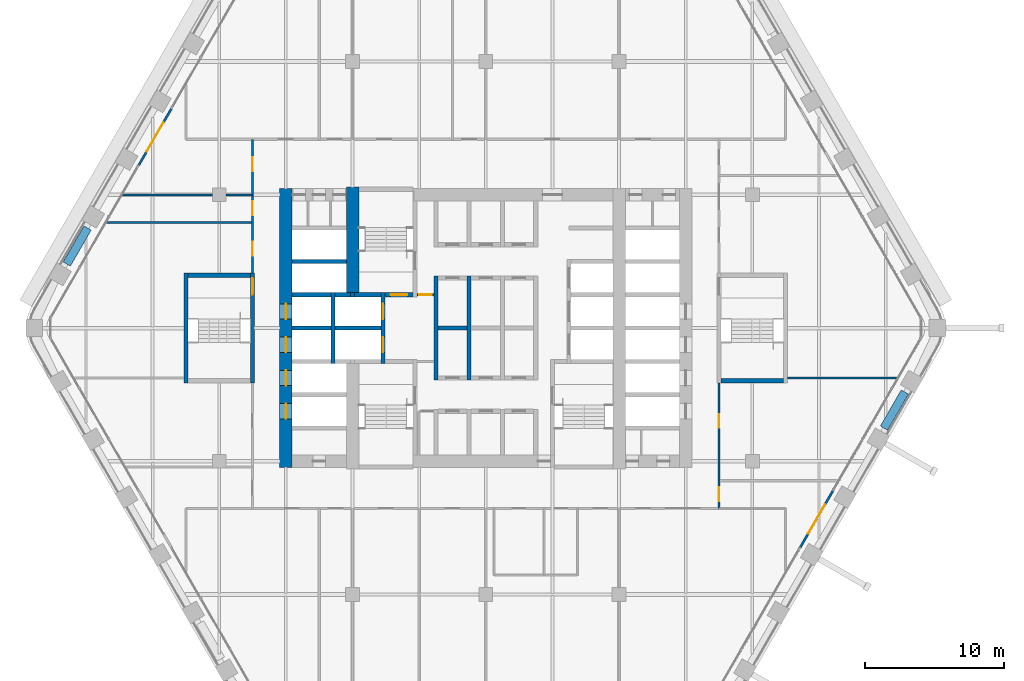
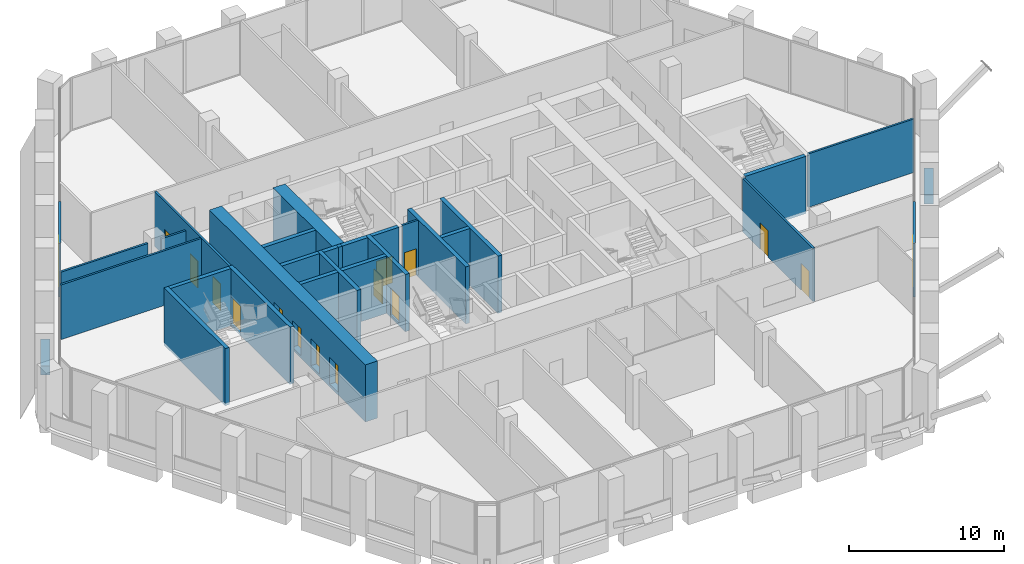
# One storey, part 15 of 24: 30 walls, 16 doors, 16 openings.
"""IFC4 building model written with IfcOpenShell, lengths in metres."""

from ifc_helpers import new_model, si_unit, direction, frame, frame_2d, origin, place, context, subcontext, project, spatial, rectangle, extrude, material, layer, layer_set, type_object, element, fill, save


model = new_model("IFC4")

# Units and contexts
model_context = context("Model", 3, precision=1e-05, world=origin(), true_north=direction((0.0, 1.0)))
body_context = subcontext(model_context, "Body", "Model", "MODEL_VIEW")
ifc_project = project(units=[si_unit("LENGTHUNIT", "METRE"), si_unit("AREAUNIT", "SQUARE_METRE"), si_unit("VOLUMEUNIT", "CUBIC_METRE"), si_unit("PLANEANGLEUNIT", "RADIAN"), si_unit("MASSUNIT", "GRAM", prefix="KILO")], contexts=[model_context])

# Site, building, storey
site_placement = place(None, origin())
site = spatial("IfcSite", under=ifc_project, at=site_placement, CompositionType="ELEMENT")
building_placement = place(site_placement, origin())
building = spatial("IfcBuilding", under=site, at=building_placement, Name="Kolab Exchange Tower", CompositionType="ELEMENT")
storey_placement = place(building_placement, frame((0.0, 0.0, 86.89990234375)))
storey = spatial("IfcBuildingStorey", under=building, at=storey_placement, Name="L16", CompositionType="ELEMENT", Elevation=86.89990234375)

# Wall, openings, doors
ifc_material_1 = material(Name="Concrete C70/85", Category="concrete")
ifc_layer_1 = layer(ifc_material_1, 0.89990234375)
ifc_layer_set_1 = layer_set([ifc_layer_1], Name="Concrete C70/85")
wall_type_1 = type_object("IfcWallType", Name="CORE WALL 900 C70/85", PredefinedType="SHEAR", material=ifc_layer_set_1)
wall_1_placement = place(storey_placement, frame((-14.39990234375, -10.050048828125, -0.199951171875), z_axis=(0.0, 0.0, 1.0), x_axis=(0.0, 1.0, 0.0)))
wall_1 = element("IfcWall", 1, at=wall_1_placement, inside=storey, type_object=wall_type_1, Name="wall/L16/core/057", PredefinedType="SHEAR", context=body_context, shape_type="SweptSolid", body=[
    extrude(rectangle(XDim=20.10009765625, YDim=0.89990234375, at=frame_2d((10.050048828125, 0.0))), origin(), (0.0, 0.0, 1.0), 4.5),
])
opening_1_placement = place(wall_1_placement, frame((3.5, 0.0, 0.199951171875)))
opening_1 = element("IfcOpeningElement", 2, at=opening_1_placement, cuts=wall_1, Name="Opening LD1-073", PredefinedType="OPENING", context=body_context, shape_type="SweptSolid", body=[
    extrude(rectangle(XDim=1.10009765625, YDim=2.10009765625, at=frame_2d((0.550048828125, 1.050048828125))), frame((0.0, 0.4599609375, 0.0), z_axis=(0.0, -1.0, 0.0), x_axis=(1.0, 0.0, 0.0)), (0.0, 0.0, 1.0), 0.919921875),
])
opening_2_placement = place(wall_1_placement, frame((5.89990234375, 0.0, 0.199951171875)))
opening_2 = element("IfcOpeningElement", 3, at=opening_2_placement, cuts=wall_1, Name="Opening LD1-074", PredefinedType="OPENING", context=body_context, shape_type="SweptSolid", body=[
    extrude(rectangle(XDim=1.10009765625, YDim=2.10009765625, at=frame_2d((0.550048828125, 1.050048828125))), frame((0.0, 0.4599609375, 0.0), z_axis=(0.0, -1.0, 0.0), x_axis=(1.0, 0.0, 0.0)), (0.0, 0.0, 1.0), 0.919921875),
])
opening_3_placement = place(wall_1_placement, frame((8.300048828125, 0.0, 0.199951171875)))
opening_3 = element("IfcOpeningElement", 4, at=opening_3_placement, cuts=wall_1, Name="Opening LD1-075", PredefinedType="OPENING", context=body_context, shape_type="SweptSolid", body=[
    extrude(rectangle(XDim=1.10009765625, YDim=2.10009765625, at=frame_2d((0.550048828125, 1.050048828125))), frame((0.0, 0.4599609375, 0.0), z_axis=(0.0, -1.0, 0.0), x_axis=(1.0, 0.0, 0.0)), (0.0, 0.0, 1.0), 0.919921875),
])
opening_4_placement = place(wall_1_placement, frame((10.699951171875, 0.0, 0.199951171875)))
opening_4 = element("IfcOpeningElement", 5, at=opening_4_placement, cuts=wall_1, Name="Opening LD1-076", PredefinedType="OPENING", context=body_context, shape_type="SweptSolid", body=[
    extrude(rectangle(XDim=1.10009765625, YDim=2.10009765625, at=frame_2d((0.550048828125, 1.050048828125))), frame((0.0, 0.4599609375, 0.0), z_axis=(0.0, -1.0, 0.0), x_axis=(1.0, 0.0, 0.0)), (0.0, 0.0, 1.0), 0.919921875),
])
ifc_material_2 = material(Name="Stainless steel 316", Category="steel")
door_type_1 = type_object("IfcDoorType", Name="LANDING DOOR 1100 PASSENGER", OperationType="DOUBLE_DOOR_SLIDING", PredefinedType="DOOR", material=ifc_material_2)
door_1_placement = place(opening_1_placement, origin())
door_1 = element("IfcDoor", 6, at=door_1_placement, inside=storey, type_object=door_type_1, Name="Landing door LR5", OperationType="DOUBLE_DOOR_SLIDING", OverallHeight=2.10009765625, OverallWidth=1.10009765625, PredefinedType="DOOR", context=body_context, shape_type="SweptSolid", body=[
    extrude(rectangle(XDim=1.10009765625, YDim=2.10009765625, at=frame_2d((0.550048828125, 1.050048828125))), frame((0.0, 0.02490234375, 0.0), z_axis=(0.0, -1.0, 0.0), x_axis=(1.0, 0.0, 0.0)), (0.0, 0.0, 1.0), 0.050048828125),
])
fill(opening_1, door_1)
door_2_placement = place(opening_2_placement, origin())
door_2 = element("IfcDoor", 7, at=door_2_placement, inside=storey, type_object=door_type_1, Name="Landing door LR6", OperationType="DOUBLE_DOOR_SLIDING", OverallHeight=2.10009765625, OverallWidth=1.10009765625, PredefinedType="DOOR", context=body_context, shape_type="SweptSolid", body=[
    extrude(rectangle(XDim=1.10009765625, YDim=2.10009765625, at=frame_2d((0.550048828125, 1.050048828125))), frame((0.0, 0.02490234375, 0.0), z_axis=(0.0, -1.0, 0.0), x_axis=(1.0, 0.0, 0.0)), (0.0, 0.0, 1.0), 0.050048828125),
])
fill(opening_2, door_2)
door_3_placement = place(opening_3_placement, origin())
door_3 = element("IfcDoor", 8, at=door_3_placement, inside=storey, type_object=door_type_1, Name="Landing door LR7", OperationType="DOUBLE_DOOR_SLIDING", OverallHeight=2.10009765625, OverallWidth=1.10009765625, PredefinedType="DOOR", context=body_context, shape_type="SweptSolid", body=[
    extrude(rectangle(XDim=1.10009765625, YDim=2.10009765625, at=frame_2d((0.550048828125, 1.050048828125))), frame((0.0, 0.02490234375, 0.0), z_axis=(0.0, -1.0, 0.0), x_axis=(1.0, 0.0, 0.0)), (0.0, 0.0, 1.0), 0.050048828125),
])
fill(opening_3, door_3)
door_4_placement = place(opening_4_placement, origin())
door_4 = element("IfcDoor", 9, at=door_4_placement, inside=storey, type_object=door_type_1, Name="Landing door LR8", OperationType="DOUBLE_DOOR_SLIDING", OverallHeight=2.10009765625, OverallWidth=1.10009765625, PredefinedType="DOOR", context=body_context, shape_type="SweptSolid", body=[
    extrude(rectangle(XDim=1.10009765625, YDim=2.10009765625, at=frame_2d((0.550048828125, 1.050048828125))), frame((0.0, 0.02490234375, 0.0), z_axis=(0.0, -1.0, 0.0), x_axis=(1.0, 0.0, 0.0)), (0.0, 0.0, 1.0), 0.050048828125),
])
fill(opening_4, door_4)

# Wall
wall_2_placement = place(storey_placement, frame((-9.60009765625, 2.550048828125, -0.199951171875), z_axis=(0.0, 0.0, 1.0), x_axis=(0.0, 1.0, 0.0)))
element("IfcWall", 10, at=wall_2_placement, inside=storey, type_object=wall_type_1, Name="wall/L16/core/062", PredefinedType="SHEAR", context=body_context, shape_type="SweptSolid", body=[
    extrude(rectangle(XDim=7.599853515625, YDim=0.89990234375, at=frame_2d((3.7998046875, 0.0))), origin(), (0.0, 0.0, 1.0), 4.5),
])

# Wall, opening, door
ifc_material_3 = material(Name="Aluminium EN AW-6063 T6", Category="aluminium")
ifc_layer_2 = layer(ifc_material_3, 0.159912109375)
ifc_layer_set_2 = layer_set([ifc_layer_2], Name="Aluminium EN AW-6063 T6")
wall_type_2 = type_object("IfcWallType", Name="DOOR SURROUND WALL 160 ALUMINIUM FRAMED", PredefinedType="PARTITIONING", material=ifc_layer_set_2)
wall_3_placement = place(storey_placement, frame((25.0166015625, -11.706787109375, 0.0), z_axis=(0.0, 0.0, 1.0), x_axis=(-0.499978080042, -0.866038058908, 0.0)))
wall_3 = element("IfcWall", 11, at=wall_3_placement, inside=storey, type_object=wall_type_2, Name="Door surround wall", PredefinedType="PARTITIONING", context=body_context, shape_type="SweptSolid", body=[
    extrude(rectangle(XDim=4.739990234375, YDim=0.159912109375, at=frame_2d((2.3701171875, 0.0))), origin(), (0.0, 0.0, 1.0), 4.2001953125),
])
opening_5_placement = place(wall_3_placement, frame((1.169921875, 0.0, 0.0)))
opening_5 = element("IfcOpeningElement", 12, at=opening_5_placement, cuts=wall_3, Name="Opening GD1-045", PredefinedType="OPENING", context=body_context, shape_type="SweptSolid", body=[
    extrude(rectangle(XDim=2.39990234375, YDim=2.39990234375, at=frame_2d((1.199951171875, 1.199951171875))), frame((0.0, 0.08984375, 0.0), z_axis=(0.0, -1.0, 0.0), x_axis=(1.0, 0.0, 0.0)), (0.0, 0.0, 1.0), 0.179931640625),
])
door_type_2 = type_object("IfcDoorType", Name="LOGGIA SLIDING GLASS DOOR 2400 X 2400", OperationType="DOUBLE_DOOR_SINGLE_SWING", PredefinedType="DOOR", material=ifc_material_3)
door_5_placement = place(opening_5_placement, origin())
door_5 = element("IfcDoor", 13, at=door_5_placement, inside=storey, type_object=door_type_2, Name="Loggia door", OperationType="DOUBLE_DOOR_SLIDING", OverallHeight=2.39990234375, OverallWidth=2.39990234375, PredefinedType="DOOR", context=body_context, shape_type="SweptSolid", body=[
    extrude(rectangle(XDim=2.39990234375, YDim=2.39990234375, at=frame_2d((1.199951171875, 1.199951171875))), frame((0.0, 0.02490234375, 0.0), z_axis=(0.0, -1.0, 0.0), x_axis=(1.0, 0.0, 0.0)), (0.0, 0.0, 1.0), 0.050048828125),
])
fill(opening_5, door_5)

wall_4_placement = place(storey_placement, frame((-25.0166015625, 11.706787109375, 0.0), z_axis=(0.0, 0.0, 1.0), x_axis=(0.499978080042, 0.866038058908, 0.0)))
wall_4 = element("IfcWall", 14, at=wall_4_placement, inside=storey, type_object=wall_type_2, Name="Door surround wall", PredefinedType="PARTITIONING", context=body_context, shape_type="SweptSolid", body=[
    extrude(rectangle(XDim=4.739990234375, YDim=0.159912109375, at=frame_2d((2.3701171875, 0.0))), origin(), (0.0, 0.0, 1.0), 4.2001953125),
])
opening_6_placement = place(wall_4_placement, frame((1.169921875, 0.0, 0.0)))
opening_6 = element("IfcOpeningElement", 15, at=opening_6_placement, cuts=wall_4, Name="Opening GD1-048", PredefinedType="OPENING", context=body_context, shape_type="SweptSolid", body=[
    extrude(rectangle(XDim=2.39990234375, YDim=2.39990234375, at=frame_2d((1.199951171875, 1.199951171875))), frame((0.0, 0.08984375, 0.0), z_axis=(0.0, -1.0, 0.0), x_axis=(1.0, 0.0, 0.0)), (0.0, 0.0, 1.0), 0.179931640625),
])
door_6_placement = place(opening_6_placement, origin())
door_6 = element("IfcDoor", 16, at=door_6_placement, inside=storey, type_object=door_type_2, Name="Loggia door", OperationType="DOUBLE_DOOR_SLIDING", OverallHeight=2.39990234375, OverallWidth=2.39990234375, PredefinedType="DOOR", context=body_context, shape_type="SweptSolid", body=[
    extrude(rectangle(XDim=2.39990234375, YDim=2.39990234375, at=frame_2d((1.199951171875, 1.199951171875))), frame((0.0, 0.02490234375, 0.0), z_axis=(0.0, -1.0, 0.0), x_axis=(1.0, 0.0, 0.0)), (0.0, 0.0, 1.0), 0.050048828125),
])
fill(opening_6, door_6)

# Walls
ifc_material_4 = material(Name="Concrete C50/60", Category="concrete")
ifc_layer_3 = layer(ifc_material_4, 0.300048828125)
ifc_layer_set_3 = layer_set([ifc_layer_3], Name="Concrete C50/60")
wall_type_3 = type_object("IfcWallType", Name="LIFT SHAFT WALL 300 C50/60", PredefinedType="STANDARD", material=ifc_layer_set_3)
wall_5_placement = place(storey_placement, frame((-13.949951171875, 0.0, -0.199951171875), z_axis=(0.0, 0.0, 1.0), x_axis=(1.0, 0.0, 0.0)))
element("IfcWall", 17, at=wall_5_placement, inside=storey, type_object=wall_type_3, Name="wall/L16/core/024", PredefinedType="STANDARD", context=body_context, shape_type="SweptSolid", body=[
    extrude(rectangle(XDim=2.800048828125, YDim=0.300048828125, at=frame_2d((1.39990234375, 0.0))), origin(), (0.0, 0.0, 1.0), 4.5),
])
wall_6_placement = place(storey_placement, frame((-10.85009765625, 0.0, -0.199951171875), z_axis=(0.0, 0.0, 1.0), x_axis=(1.0, 0.0, 0.0)))
element("IfcWall", 18, at=wall_6_placement, inside=storey, type_object=wall_type_3, Name="wall/L16/core/025", PredefinedType="STANDARD", context=body_context, shape_type="SweptSolid", body=[
    extrude(rectangle(XDim=3.300048828125, YDim=0.300048828125, at=frame_2d((1.64990234375, 0.0))), origin(), (0.0, 0.0, 1.0), 4.5),
])
wall_7_placement = place(storey_placement, frame((-3.449951171875, 0.0, -0.199951171875), z_axis=(0.0, 0.0, 1.0), x_axis=(1.0, 0.0, 0.0)))
element("IfcWall", 19, at=wall_7_placement, inside=storey, type_object=wall_type_3, Name="wall/L16/core/026", PredefinedType="STANDARD", context=body_context, shape_type="SweptSolid", body=[
    extrude(rectangle(XDim=2.099853515625, YDim=0.300048828125, at=frame_2d((1.0498046875, 0.0))), origin(), (0.0, 0.0, 1.0), 4.5),
])
wall_8_placement = place(storey_placement, frame((-13.949951171875, 2.39990234375, -0.199951171875), z_axis=(0.0, 0.0, 1.0), x_axis=(1.0, 0.0, 0.0)))
element("IfcWall", 20, at=wall_8_placement, inside=storey, type_object=wall_type_3, Name="wall/L16/core/031", PredefinedType="STANDARD", context=body_context, shape_type="SweptSolid", body=[
    extrude(rectangle(XDim=2.800048828125, YDim=0.300048828125, at=frame_2d((1.39990234375, 0.0))), origin(), (0.0, 0.0, 1.0), 4.5),
])
wall_9_placement = place(storey_placement, frame((-10.85009765625, 2.39990234375, -0.199951171875), z_axis=(0.0, 0.0, 1.0), x_axis=(1.0, 0.0, 0.0)))
element("IfcWall", 21, at=wall_9_placement, inside=storey, type_object=wall_type_3, Name="wall/L16/core/032", PredefinedType="STANDARD", context=body_context, shape_type="SweptSolid", body=[
    extrude(rectangle(XDim=1.10009765625, YDim=0.300048828125, at=frame_2d((0.550048828125, 0.0))), origin(), (0.0, 0.0, 1.0), 4.5),
])
wall_10_placement = place(storey_placement, frame((-13.949951171875, 4.800048828125, -0.199951171875), z_axis=(0.0, 0.0, 1.0), x_axis=(1.0, 0.0, 0.0)))
element("IfcWall", 22, at=wall_10_placement, inside=storey, type_object=wall_type_3, Name="wall/L16/core/042", PredefinedType="STANDARD", context=body_context, shape_type="SweptSolid", body=[
    extrude(rectangle(XDim=3.89990234375, YDim=0.300048828125, at=frame_2d((1.949951171875, 0.0))), origin(), (0.0, 0.0, 1.0), 4.5),
])
wall_11_placement = place(storey_placement, frame((-11.0, -2.550048828125, -0.199951171875), z_axis=(0.0, 0.0, 1.0), x_axis=(0.0, 1.0, 0.0)))
element("IfcWall", 23, at=wall_11_placement, inside=storey, type_object=wall_type_3, Name="wall/L16/core/058", PredefinedType="STANDARD", context=body_context, shape_type="SweptSolid", body=[
    extrude(rectangle(XDim=5.10009765625, YDim=0.300048828125, at=frame_2d((2.550048828125, 0.0))), origin(), (0.0, 0.0, 1.0), 4.5),
])

# Wall, openings, doors
wall_12_placement = place(storey_placement, frame((-7.39990234375, -2.550048828125, -0.199951171875), z_axis=(0.0, 0.0, 1.0), x_axis=(0.0, 1.0, 0.0)))
wall_12 = element("IfcWall", 24, at=wall_12_placement, inside=storey, type_object=wall_type_3, Name="wall/L16/core/063", PredefinedType="STANDARD", context=body_context, shape_type="SweptSolid", body=[
    extrude(rectangle(XDim=5.10009765625, YDim=0.300048828125, at=frame_2d((2.550048828125, 0.0))), origin(), (0.0, 0.0, 1.0), 4.5),
])
opening_7_placement = place(wall_12_placement, frame((0.800048828125, 0.0, 0.199951171875)))
opening_7 = element("IfcOpeningElement", 25, at=opening_7_placement, cuts=wall_12, Name="Opening LD2-017", PredefinedType="OPENING", context=body_context, shape_type="SweptSolid", body=[
    extrude(rectangle(XDim=1.10009765625, YDim=2.10009765625, at=frame_2d((0.550048828125, 1.050048828125))), frame((0.0, 0.16015625, 0.0), z_axis=(0.0, -1.0, 0.0), x_axis=(1.0, 0.0, 0.0)), (0.0, 0.0, 1.0), 0.320068359375),
])
opening_8_placement = place(wall_12_placement, frame((3.199951171875, 0.0, 0.199951171875)))
opening_8 = element("IfcOpeningElement", 26, at=opening_8_placement, cuts=wall_12, Name="Opening LD2-018", PredefinedType="OPENING", context=body_context, shape_type="SweptSolid", body=[
    extrude(rectangle(XDim=1.10009765625, YDim=2.10009765625, at=frame_2d((0.550048828125, 1.050048828125))), frame((0.0, 0.16015625, 0.0), z_axis=(0.0, -1.0, 0.0), x_axis=(1.0, 0.0, 0.0)), (0.0, 0.0, 1.0), 0.320068359375),
])
door_type_3 = type_object("IfcDoorType", Name="LANDING DOOR 1100 FIREFIGHTING", OperationType="DOUBLE_DOOR_SLIDING", PredefinedType="DOOR", material=ifc_material_2)
door_7_placement = place(opening_7_placement, origin())
door_7 = element("IfcDoor", 27, at=door_7_placement, inside=storey, type_object=door_type_3, Name="Landing door FF1", OperationType="DOUBLE_DOOR_SLIDING", OverallHeight=2.10009765625, OverallWidth=1.10009765625, PredefinedType="DOOR", context=body_context, shape_type="SweptSolid", body=[
    extrude(rectangle(XDim=1.10009765625, YDim=2.10009765625, at=frame_2d((0.550048828125, 1.050048828125))), frame((0.0, 0.02490234375, 0.0), z_axis=(0.0, -1.0, 0.0), x_axis=(1.0, 0.0, 0.0)), (0.0, 0.0, 1.0), 0.050048828125),
])
fill(opening_7, door_7)
door_8_placement = place(opening_8_placement, origin())
door_8 = element("IfcDoor", 28, at=door_8_placement, inside=storey, type_object=door_type_3, Name="Landing door FF2", OperationType="DOUBLE_DOOR_SLIDING", OverallHeight=2.10009765625, OverallWidth=1.10009765625, PredefinedType="DOOR", context=body_context, shape_type="SweptSolid", body=[
    extrude(rectangle(XDim=1.10009765625, YDim=2.10009765625, at=frame_2d((0.550048828125, 1.050048828125))), frame((0.0, 0.02490234375, 0.0), z_axis=(0.0, -1.0, 0.0), x_axis=(1.0, 0.0, 0.0)), (0.0, 0.0, 1.0), 0.050048828125),
])
fill(opening_8, door_8)

# Walls
for number, where, z_axis, x_axis, name in (
    (29, (-3.60009765625, -3.75, -0.199951171875), (0.0, 0.0, 1.0), (0.0, 1.0, 0.0), "wall/L16/core/067"),
    (30, (-1.199951171875, -3.75, -0.199951171875), (0.0, 0.0, 1.0), (0.0, 1.0, 0.0), "wall/L16/core/070"),
):
    element("IfcWall", number, at=place(storey_placement, frame(where, z_axis=z_axis, x_axis=x_axis)), inside=storey, type_object=wall_type_3, Name=name, PredefinedType="STANDARD", context=body_context, shape_type="SweptSolid", body=[
        extrude(rectangle(XDim=7.5, YDim=0.300048828125, at=frame_2d((3.75, 0.0))), origin(), (0.0, 0.0, 1.0), 4.5),
    ])

# Wall, openings, doors
ifc_material_5 = material(Name="Gypsum board", Category="gypsum")
ifc_layer_4 = layer(ifc_material_5, 0.14990234375)
ifc_layer_set_4 = layer_set([ifc_layer_4], Name="Gypsum board")
wall_type_4 = type_object("IfcWallType", Name="PARTITION 150 FIRE-RATED", PredefinedType="PARTITIONING", material=ifc_layer_set_4)
wall_13_placement = place(storey_placement, frame((16.800048828125, -13.0, 0.0), z_axis=(0.0, 0.0, 1.0), x_axis=(0.0, 1.0, 0.0)))
wall_13 = element("IfcWall", 31, at=wall_13_placement, inside=storey, type_object=wall_type_4, Name="Partition 002", PredefinedType="PARTITIONING", context=body_context, shape_type="SweptSolid", body=[
    extrude(rectangle(XDim=9.050048828125, YDim=0.14990234375, at=frame_2d((4.52490234375, 0.0))), origin(), (0.0, 0.0, 1.0), 4.2001953125),
])
opening_9_placement = place(wall_13_placement, frame((0.514892578125, 0.0, 0.0)))
opening_9 = element("IfcOpeningElement", 32, at=opening_9_placement, cuts=wall_13, Name="Opening D1-235", PredefinedType="OPENING", context=body_context, shape_type="SweptSolid", body=[
    extrude(rectangle(XDim=1.0, YDim=2.10009765625, at=frame_2d((0.5, 1.050048828125))), frame((0.0, 0.0849609375, 0.0), z_axis=(0.0, -1.0, 0.0), x_axis=(1.0, 0.0, 0.0)), (0.0, 0.0, 1.0), 0.169921875),
])
opening_10_placement = place(wall_13_placement, frame((5.800048828125, 0.0, 0.0)))
opening_10 = element("IfcOpeningElement", 33, at=opening_10_placement, cuts=wall_13, Name="Opening D1-236", PredefinedType="OPENING", context=body_context, shape_type="SweptSolid", body=[
    extrude(rectangle(XDim=1.0, YDim=2.10009765625, at=frame_2d((0.5, 1.050048828125))), frame((0.0, 0.0849609375, 0.0), z_axis=(0.0, -1.0, 0.0), x_axis=(1.0, 0.0, 0.0)), (0.0, 0.0, 1.0), 0.169921875),
])
ifc_material_6 = material(Name="Steel S235", Category="steel")
door_type_4 = type_object("IfcDoorType", Name="FLUSH DOOR 1000 FD60", OperationType="SINGLE_SWING_LEFT", PredefinedType="DOOR", material=ifc_material_6)
door_9_placement = place(opening_9_placement, frame((1.0, 0.0, 0.0), z_axis=(0.0, 0.0, 1.0), x_axis=(-1.0, 0.0, 0.0)))
door_9 = element("IfcDoor", 34, at=door_9_placement, inside=storey, type_object=door_type_4, Name="Door L16-060", OperationType="SINGLE_SWING_RIGHT", OverallHeight=2.10009765625, OverallWidth=1.0, PredefinedType="DOOR", context=body_context, shape_type="SweptSolid", body=[
    extrude(rectangle(XDim=1.0, YDim=2.10009765625, at=frame_2d((0.5, 1.050048828125))), frame((0.0, 0.02490234375, 0.0), z_axis=(0.0, -1.0, 0.0), x_axis=(1.0, 0.0, 0.0)), (0.0, 0.0, 1.0), 0.050048828125),
])
fill(opening_9, door_9)
door_10_placement = place(opening_10_placement, frame((1.0, 0.0, 0.0), z_axis=(0.0, 0.0, 1.0), x_axis=(-1.0, 0.0, 0.0)))
door_10 = element("IfcDoor", 35, at=door_10_placement, inside=storey, type_object=door_type_4, Name="Door L16-061", OperationType="SINGLE_SWING_RIGHT", OverallHeight=2.10009765625, OverallWidth=1.0, PredefinedType="DOOR", context=body_context, shape_type="SweptSolid", body=[
    extrude(rectangle(XDim=1.0, YDim=2.10009765625, at=frame_2d((0.5, 1.050048828125))), frame((0.0, 0.02490234375, 0.0), z_axis=(0.0, -1.0, 0.0), x_axis=(1.0, 0.0, 0.0)), (0.0, 0.0, 1.0), 0.050048828125),
])
fill(opening_10, door_10)

wall_14_placement = place(storey_placement, frame((-16.800048828125, 3.949951171875, 0.0), z_axis=(0.0, 0.0, 1.0), x_axis=(0.0, 1.0, 0.0)))
wall_14 = element("IfcWall", 36, at=wall_14_placement, inside=storey, type_object=wall_type_4, Name="Partition 029", PredefinedType="PARTITIONING", context=body_context, shape_type="SweptSolid", body=[
    extrude(rectangle(XDim=9.650146484375, YDim=0.14990234375, at=frame_2d((4.8251953125, 0.0))), origin(), (0.0, 0.0, 1.0), 4.300048828125),
])
opening_11_placement = place(wall_14_placement, frame((1.25, 0.0, 0.0)))
opening_11 = element("IfcOpeningElement", 37, at=opening_11_placement, cuts=wall_14, Name="Opening D1-218", PredefinedType="OPENING", context=body_context, shape_type="SweptSolid", body=[
    extrude(rectangle(XDim=1.0, YDim=2.10009765625, at=frame_2d((0.5, 1.050048828125))), frame((0.0, 0.0849609375, 0.0), z_axis=(0.0, -1.0, 0.0), x_axis=(1.0, 0.0, 0.0)), (0.0, 0.0, 1.0), 0.169921875),
])
opening_12_placement = place(wall_14_placement, frame((4.18505859375, 0.0, 0.0)))
opening_12 = element("IfcOpeningElement", 38, at=opening_12_placement, cuts=wall_14, Name="Opening D1-228", PredefinedType="OPENING", context=body_context, shape_type="SweptSolid", body=[
    extrude(rectangle(XDim=1.0, YDim=2.10009765625, at=frame_2d((0.5, 1.050048828125))), frame((0.0, 0.0849609375, 0.0), z_axis=(0.0, -1.0, 0.0), x_axis=(1.0, 0.0, 0.0)), (0.0, 0.0, 1.0), 0.169921875),
])
opening_13_placement = place(wall_14_placement, frame((7.35009765625, 0.0, 0.0)))
opening_13 = element("IfcOpeningElement", 39, at=opening_13_placement, cuts=wall_14, Name="Opening D1-220", PredefinedType="OPENING", context=body_context, shape_type="SweptSolid", body=[
    extrude(rectangle(XDim=1.0, YDim=2.10009765625, at=frame_2d((0.5, 1.050048828125))), frame((0.0, 0.0849609375, 0.0), z_axis=(0.0, -1.0, 0.0), x_axis=(1.0, 0.0, 0.0)), (0.0, 0.0, 1.0), 0.169921875),
])
door_11_placement = place(opening_11_placement, origin())
door_11 = element("IfcDoor", 40, at=door_11_placement, inside=storey, type_object=door_type_4, Name="Door L16-066", OperationType="SINGLE_SWING_RIGHT", OverallHeight=2.10009765625, OverallWidth=1.0, PredefinedType="DOOR", context=body_context, shape_type="SweptSolid", body=[
    extrude(rectangle(XDim=1.0, YDim=2.10009765625, at=frame_2d((0.5, 1.050048828125))), frame((0.0, 0.02490234375, 0.0), z_axis=(0.0, -1.0, 0.0), x_axis=(1.0, 0.0, 0.0)), (0.0, 0.0, 1.0), 0.050048828125),
])
fill(opening_11, door_11)
door_12_placement = place(opening_12_placement, origin())
door_12 = element("IfcDoor", 41, at=door_12_placement, inside=storey, type_object=door_type_4, Name="Door L16-067", OperationType="SINGLE_SWING_RIGHT", OverallHeight=2.10009765625, OverallWidth=1.0, PredefinedType="DOOR", context=body_context, shape_type="SweptSolid", body=[
    extrude(rectangle(XDim=1.0, YDim=2.10009765625, at=frame_2d((0.5, 1.050048828125))), frame((0.0, 0.02490234375, 0.0), z_axis=(0.0, -1.0, 0.0), x_axis=(1.0, 0.0, 0.0)), (0.0, 0.0, 1.0), 0.050048828125),
])
fill(opening_12, door_12)
door_13_placement = place(opening_13_placement, origin())
door_13 = element("IfcDoor", 42, at=door_13_placement, inside=storey, type_object=door_type_4, Name="Door L16-068", OperationType="SINGLE_SWING_RIGHT", OverallHeight=2.10009765625, OverallWidth=1.0, PredefinedType="DOOR", context=body_context, shape_type="SweptSolid", body=[
    extrude(rectangle(XDim=1.0, YDim=2.10009765625, at=frame_2d((0.5, 1.050048828125))), frame((0.0, 0.02490234375, 0.0), z_axis=(0.0, -1.0, 0.0), x_axis=(1.0, 0.0, 0.0)), (0.0, 0.0, 1.0), 0.050048828125),
])
fill(opening_13, door_13)

# Walls
wall_15_placement = place(storey_placement, frame((21.75, -3.60009765625, 0.0), z_axis=(0.0, 0.0, 1.0), x_axis=(1.0, 0.0, 0.0)))
element("IfcWall", 43, at=wall_15_placement, inside=storey, type_object=wall_type_4, Name="Partition 040", PredefinedType="PARTITIONING", context=body_context, shape_type="SweptSolid", body=[
    extrude(rectangle(XDim=7.90087890625, YDim=0.14990234375, at=frame_2d((3.950439453125, 0.0))), origin(), (0.0, 0.0, 1.0), 4.2001953125),
])
wall_16_placement = place(storey_placement, frame((-27.341552734375, 7.60009765625, 0.0), z_axis=(0.0, 0.0, 1.0), x_axis=(1.0, 0.0, 0.0)))
element("IfcWall", 44, at=wall_16_placement, inside=storey, type_object=wall_type_4, Name="Partition 041", PredefinedType="PARTITIONING", context=body_context, shape_type="SweptSolid", body=[
    extrude(rectangle(XDim=10.54150390625, YDim=0.14990234375, at=frame_2d((5.270751953125, 0.0))), origin(), (0.0, 0.0, 1.0), 4.300048828125),
])
wall_17_placement = place(storey_placement, frame((-26.186767578125, 9.60009765625, 0.0), z_axis=(0.0, 0.0, 1.0), x_axis=(1.0, 0.0, 0.0)))
element("IfcWall", 45, at=wall_17_placement, inside=storey, type_object=wall_type_4, Name="Partition 042", PredefinedType="PARTITIONING", context=body_context, shape_type="SweptSolid", body=[
    extrude(rectangle(XDim=6.48681640625, YDim=0.14990234375, at=frame_2d((3.243408203125, 0.0))), origin(), (0.0, 0.0, 1.0), 3.692138671875),
])
wall_18_placement = place(storey_placement, frame((-18.699951171875, 9.60009765625, 0.0), z_axis=(0.0, 0.0, 1.0), x_axis=(1.0, 0.0, 0.0)))
element("IfcWall", 46, at=wall_18_placement, inside=storey, type_object=wall_type_4, Name="Partition 043", PredefinedType="PARTITIONING", context=body_context, shape_type="SweptSolid", body=[
    extrude(rectangle(XDim=1.89990234375, YDim=0.14990234375, at=frame_2d((0.949951171875, 0.0))), origin(), (0.0, 0.0, 1.0), 3.692138671875),
])

# Wall, opening, door
wall_19_placement = place(storey_placement, frame((-4.949951171875, 2.39990234375, 0.0), z_axis=(0.0, 0.0, 1.0), x_axis=(1.0, 0.0, 0.0)))
wall_19 = element("IfcWall", 47, at=wall_19_placement, inside=storey, type_object=wall_type_4, Name="Fire partition", PredefinedType="PARTITIONING", context=body_context, shape_type="SweptSolid", body=[
    extrude(rectangle(XDim=1.199951171875, YDim=0.14990234375, at=frame_2d((0.60009765625, 0.0))), origin(), (0.0, 0.0, 1.0), 4.300048828125),
])
opening_14_placement = place(wall_19_placement, frame((0.14990234375, 0.0, 0.0)))
opening_14 = element("IfcOpeningElement", 48, at=opening_14_placement, cuts=wall_19, Name="Opening D6-204", PredefinedType="OPENING", context=body_context, shape_type="SweptSolid", body=[
    extrude(rectangle(XDim=0.89990234375, YDim=2.10009765625, at=frame_2d((0.449951171875, 1.050048828125))), frame((0.0, 0.0849609375, 0.0), z_axis=(0.0, -1.0, 0.0), x_axis=(1.0, 0.0, 0.0)), (0.0, 0.0, 1.0), 0.169921875),
])
door_type_5 = type_object("IfcDoorType", Name="CORE DOOR 900 EI 120", OperationType="SINGLE_SWING_LEFT", PredefinedType="DOOR", material=ifc_material_6)
door_14_placement = place(opening_14_placement, frame((0.89990234375, 0.0, 0.0), z_axis=(0.0, 0.0, 1.0), x_axis=(-1.0, 0.0, 0.0)))
door_14 = element("IfcDoor", 49, at=door_14_placement, inside=storey, type_object=door_type_5, Name="Firefighting lobby door", OperationType="SINGLE_SWING_RIGHT", OverallHeight=2.10009765625, OverallWidth=0.89990234375, PredefinedType="DOOR", context=body_context, shape_type="SweptSolid", body=[
    extrude(rectangle(XDim=0.89990234375, YDim=2.10009765625, at=frame_2d((0.449951171875, 1.050048828125))), frame((0.0, 0.02490234375, 0.0), z_axis=(0.0, -1.0, 0.0), x_axis=(1.0, 0.0, 0.0)), (0.0, 0.0, 1.0), 0.050048828125),
])
fill(opening_14, door_14)

# Walls
ifc_material_7 = material(Name="Granite facing", Category="masonry")
ifc_layer_5 = layer(ifc_material_7, 0.0400390625)
ifc_material_8 = material(Name="Concrete C40/50 precast", Category="concrete")
ifc_layer_6 = layer(ifc_material_8, 0.56005859375)
ifc_layer_set_5 = layer_set([ifc_layer_5, ifc_layer_6], Name="Concrete C40/50 precast")
wall_type_5 = type_object("IfcWallType", Name="PLANTER BOX 600 X 700 SOIL DEPTH 550", PredefinedType="USERDEFINED", material=ifc_layer_set_5)
for number, where, z_axis, x_axis, name in (
    (50, (30.18701171875, -4.611328125, 0.0), (0.0, 0.0, 1.0), (-0.499990139034, -0.866031096941, 0.0), "Planter"),
    (51, (-30.18701171875, 4.611328125, 0.0), (0.0, 0.0, 1.0), (0.499990139034, 0.866031096941, 0.0), "Planter"),
):
    element("IfcWall", number, at=place(storey_placement, frame(where, z_axis=z_axis, x_axis=x_axis)), inside=storey, type_object=wall_type_5, Name=name, ObjectType="PLANTER", PredefinedType="USERDEFINED", context=body_context, shape_type="SweptSolid", body=[
        extrude(rectangle(XDim=3.0, YDim=0.60009765625, at=frame_2d((1.5, 0.0))), origin(), (0.0, 0.0, 1.0), 0.7001953125),
    ])
ifc_layer_7 = layer(ifc_material_4, 0.300048828125)
ifc_layer_set_6 = layer_set([ifc_layer_7], Name="Concrete C50/60")
wall_type_6 = type_object("IfcWallType", Name="STAIR ENCLOSURE WALL 300 C50/60", PredefinedType="STANDARD", material=ifc_layer_set_6)
wall_20_placement = place(storey_placement, frame((16.949951171875, -3.800048828125, -0.199951171875), z_axis=(0.0, 0.0, 1.0), x_axis=(1.0, 0.0, 0.0)))
element("IfcWall", 52, at=wall_20_placement, inside=storey, type_object=wall_type_6, Name="wall/L16/core/013", PredefinedType="STANDARD", context=body_context, shape_type="SweptSolid", body=[
    extrude(rectangle(XDim=4.5, YDim=0.300048828125, at=frame_2d((2.25, 0.0))), origin(), (0.0, 0.0, 1.0), 4.5),
])
wall_21_placement = place(storey_placement, frame((-9.449951171875, 2.39990234375, -0.199951171875), z_axis=(0.0, 0.0, 1.0), x_axis=(1.0, 0.0, 0.0)))
element("IfcWall", 53, at=wall_21_placement, inside=storey, type_object=wall_type_6, Name="wall/L16/core/033", PredefinedType="STANDARD", context=body_context, shape_type="SweptSolid", body=[
    extrude(rectangle(XDim=1.89990234375, YDim=0.300048828125, at=frame_2d((0.949951171875, 0.0))), origin(), (0.0, 0.0, 1.0), 4.5),
])

# Wall, opening, door
wall_22_placement = place(storey_placement, frame((-7.25, 2.39990234375, -0.199951171875), z_axis=(0.0, 0.0, 1.0), x_axis=(1.0, 0.0, 0.0)))
wall_22 = element("IfcWall", 54, at=wall_22_placement, inside=storey, type_object=wall_type_6, Name="wall/L16/core/034", PredefinedType="STANDARD", context=body_context, shape_type="SweptSolid", body=[
    extrude(rectangle(XDim=2.0, YDim=0.300048828125, at=frame_2d((1.0, 0.0))), origin(), (0.0, 0.0, 1.0), 4.5),
])
opening_15_placement = place(wall_22_placement, frame((0.39990234375, 0.0, 0.199951171875)))
opening_15 = element("IfcOpeningElement", 55, at=opening_15_placement, cuts=wall_22, Name="Opening D4-043", PredefinedType="OPENING", context=body_context, shape_type="SweptSolid", body=[
    extrude(rectangle(XDim=1.199951171875, YDim=2.10009765625, at=frame_2d((0.60009765625, 1.050048828125))), frame((0.0, 0.16015625, 0.0), z_axis=(0.0, -1.0, 0.0), x_axis=(1.0, 0.0, 0.0)), (0.0, 0.0, 1.0), 0.320068359375),
])
door_type_6 = type_object("IfcDoorType", Name="STAIR DOOR 1200 EI 120", OperationType="SINGLE_SWING_LEFT", PredefinedType="DOOR", material=ifc_material_6)
door_15_placement = place(opening_15_placement, origin())
door_15 = element("IfcDoor", 56, at=door_15_placement, inside=storey, type_object=door_type_6, Name="Stair 1 door", OperationType="SINGLE_SWING_RIGHT", OverallHeight=2.10009765625, OverallWidth=1.199951171875, PredefinedType="DOOR", context=body_context, shape_type="SweptSolid", body=[
    extrude(rectangle(XDim=1.199951171875, YDim=2.10009765625, at=frame_2d((0.60009765625, 1.050048828125))), frame((0.0, 0.02490234375, 0.0), z_axis=(0.0, -1.0, 0.0), x_axis=(1.0, 0.0, 0.0)), (0.0, 0.0, 1.0), 0.050048828125),
])
fill(opening_15, door_15)

# Walls
wall_23_placement = place(storey_placement, frame((-21.449951171875, 3.800048828125, -0.199951171875), z_axis=(0.0, 0.0, 1.0), x_axis=(1.0, 0.0, 0.0)))
element("IfcWall", 57, at=wall_23_placement, inside=storey, type_object=wall_type_6, Name="wall/L16/core/040", PredefinedType="STANDARD", context=body_context, shape_type="SweptSolid", body=[
    extrude(rectangle(XDim=4.5, YDim=0.300048828125, at=frame_2d((2.25, 0.0))), origin(), (0.0, 0.0, 1.0), 4.5),
])
wall_24_placement = place(storey_placement, frame((-21.60009765625, -3.949951171875, -0.199951171875), z_axis=(0.0, 0.0, 1.0), x_axis=(0.0, 1.0, 0.0)))
element("IfcWall", 58, at=wall_24_placement, inside=storey, type_object=wall_type_6, Name="wall/L16/core/055", PredefinedType="STANDARD", context=body_context, shape_type="SweptSolid", body=[
    extrude(rectangle(XDim=7.89990234375, YDim=0.300048828125, at=frame_2d((3.949951171875, 0.0))), origin(), (0.0, 0.0, 1.0), 4.5),
])

# Wall, opening, door
wall_25_placement = place(storey_placement, frame((-16.800048828125, -3.949951171875, -0.199951171875), z_axis=(0.0, 0.0, 1.0), x_axis=(0.0, 1.0, 0.0)))
wall_25 = element("IfcWall", 59, at=wall_25_placement, inside=storey, type_object=wall_type_6, Name="wall/L16/core/056", PredefinedType="STANDARD", context=body_context, shape_type="SweptSolid", body=[
    extrude(rectangle(XDim=7.89990234375, YDim=0.300048828125, at=frame_2d((3.949951171875, 0.0))), origin(), (0.0, 0.0, 1.0), 4.5),
])
opening_16_placement = place(wall_25_placement, frame((6.35009765625, 0.0, 0.199951171875)))
opening_16 = element("IfcOpeningElement", 60, at=opening_16_placement, cuts=wall_25, Name="Opening D4-048", PredefinedType="OPENING", context=body_context, shape_type="SweptSolid", body=[
    extrude(rectangle(XDim=1.199951171875, YDim=2.10009765625, at=frame_2d((0.60009765625, 1.050048828125))), frame((0.0, 0.16015625, 0.0), z_axis=(0.0, -1.0, 0.0), x_axis=(1.0, 0.0, 0.0)), (0.0, 0.0, 1.0), 0.320068359375),
])
door_16_placement = place(opening_16_placement, origin())
door_16 = element("IfcDoor", 61, at=door_16_placement, inside=storey, type_object=door_type_6, Name="Stair 5 door", OperationType="SINGLE_SWING_RIGHT", OverallHeight=2.10009765625, OverallWidth=1.199951171875, PredefinedType="DOOR", context=body_context, shape_type="SweptSolid", body=[
    extrude(rectangle(XDim=1.199951171875, YDim=2.10009765625, at=frame_2d((0.60009765625, 1.050048828125))), frame((0.0, 0.02490234375, 0.0), z_axis=(0.0, -1.0, 0.0), x_axis=(1.0, 0.0, 0.0)), (0.0, 0.0, 1.0), 0.050048828125),
])
fill(opening_16, door_16)

# Wall
wall_26_placement = place(storey_placement, frame((-9.60009765625, 2.25, -0.199951171875), z_axis=(0.0, 0.0, 1.0), x_axis=(0.0, 1.0, 0.0)))
element("IfcWall", 62, at=wall_26_placement, inside=storey, type_object=wall_type_6, Name="wall/L16/core/061", PredefinedType="STANDARD", context=body_context, shape_type="SweptSolid", body=[
    extrude(rectangle(XDim=0.300048828125, YDim=0.300048828125, at=frame_2d((0.14990234375, 0.0))), origin(), (0.0, 0.0, 1.0), 4.5),
])

save(model, "model.ifc")
